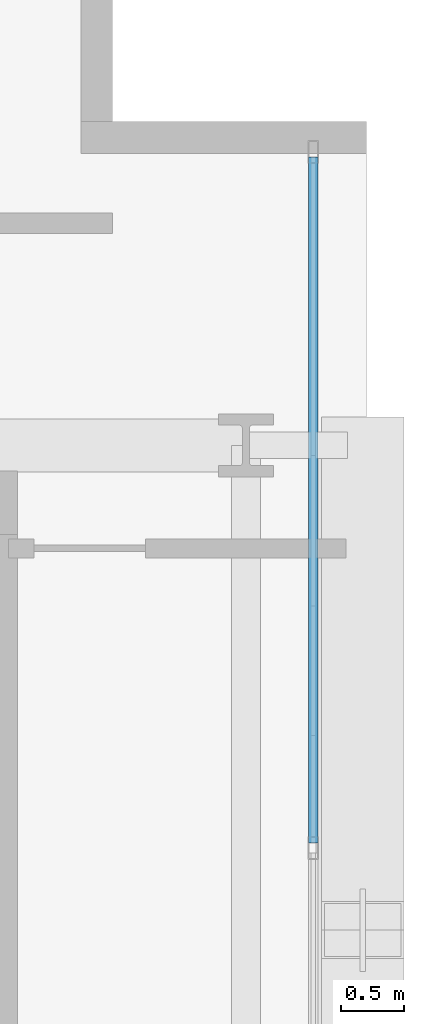
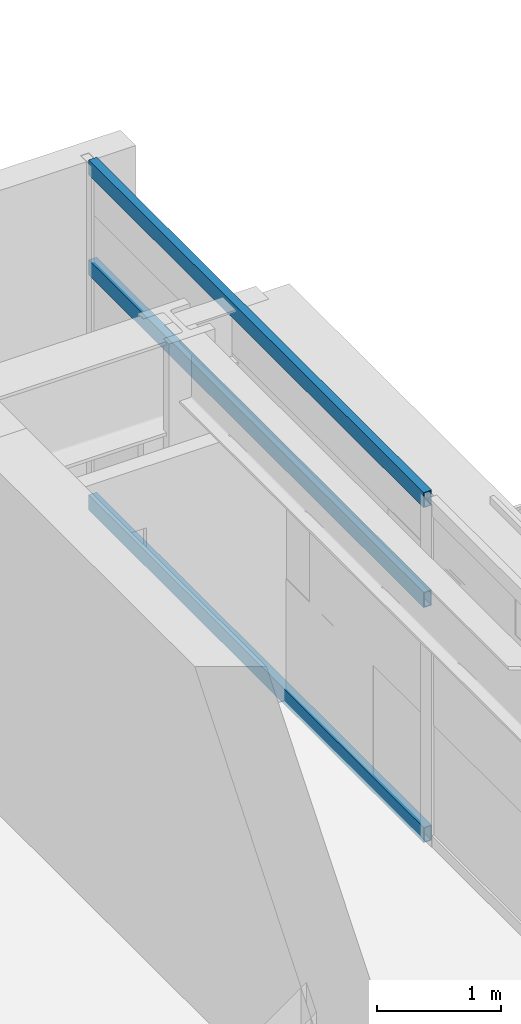
# One storey, part 15 of 31: 3 members, 1 element without a shape of its own.
"""IFC4 building model written with IfcOpenShell, lengths in metres."""

from ifc_helpers import new_model, si_unit, direction, frame, origin, origin_2d, place, context, subcontext, project, spatial, hollow_rectangle, extrude, source, transform, mapped, material, layer, layer_set, material_profile, profile_set, type_object, element, aggregate, save


model = new_model("IFC4")

# Units and contexts
model_context = context("Model", 3, precision=1e-05, world=origin(), true_north=direction((0.0, 1.0)))
body_context = subcontext(model_context, "Body", "Model", "MODEL_VIEW")
ifc_project = project(units=[si_unit("LENGTHUNIT", "METRE"), si_unit("AREAUNIT", "SQUARE_METRE"), si_unit("VOLUMEUNIT", "CUBIC_METRE"), si_unit("PLANEANGLEUNIT", "RADIAN"), si_unit("MASSUNIT", "GRAM", prefix="KILO")], contexts=[model_context])

# Site, building, storey
site_placement = place(None, origin())
site = spatial("IfcSite", under=ifc_project, at=site_placement, CompositionType="ELEMENT")
building_placement = place(site_placement, origin())
building = spatial("IfcBuilding", under=site, at=building_placement, Name="Ocotamira Hotel", CompositionType="ELEMENT")
storey_placement = place(building_placement, frame((0.0, 0.0, 174.0)))
storey = spatial("IfcBuildingStorey", under=building, at=storey_placement, Name="L43", CompositionType="ELEMENT", Elevation=174.0)

# Curtain wall, members
ifc_material_1 = material(Name="Anodised pale-metal aluminium and solar glass", Category="aluminium")
ifc_layer = layer(ifc_material_1, 0.199951171875)
ifc_layer_set = layer_set([ifc_layer], Name="Anodised pale-metal aluminium and solar glass")
curtain_wall_type = type_object("IfcCurtainWallType", Name="CW-SYS4-Z3", PredefinedType="NOTDEFINED", material=ifc_layer_set)
curtain_wall_placement = place(storey_placement, origin())
curtain_wall = element("IfcCurtainWall", 1, at=curtain_wall_placement, inside=storey, type_object=curtain_wall_type, Name="L43 Curtain Wall CW-4 CW-L43-E", PredefinedType="NOTDEFINED")
ifc_material_2 = material(Name="Anodised pale-metal aluminium 6063-T6", Category="aluminium")
ifc_material_profile = material_profile(ifc_material_2, hollow_rectangle(XDim=0.074951171875, YDim=0.14990234375, WallThickness=0.006103515625, at=origin_2d()), Name="HSS150X75X6")
ifc_profile_set = profile_set([ifc_material_profile], Name="Anodised pale-metal aluminium 6063-T6")
member_type = type_object("IfcMemberType", Name="CWT-150X75", PredefinedType="USERDEFINED", material=ifc_profile_set)
shared_shape = source(origin(), body_context, "Body", "SweptSolid", [
    extrude(hollow_rectangle(XDim=0.074951171875, YDim=0.14990234375, WallThickness=0.006103515625, at=origin_2d()), origin(), (0.0, 0.0, 1.0), 5.39990234375),
])
member_1_placement = place(storey_placement, frame((55.580078125, 34.320068359375, 0.03759765625), z_axis=(0.0, 1.0, 0.0), x_axis=(-1.0, 0.0, 0.0)))
member_1 = element("IfcMember", 2, at=member_1_placement, type_object=member_type, Name="CW-4 transom 5.1", ObjectType="TRANSOM", PredefinedType="USERDEFINED", context=body_context, shape_type="MappedRepresentation", body=[
    mapped(shared_shape, transform((0.0, 0.0, 0.0), scale=1.0)),
])
member_2_placement = place(storey_placement, frame((55.580078125, 34.320068359375, 2.35009765625), z_axis=(0.0, 1.0, 0.0), x_axis=(-1.0, 0.0, 0.0)))
member_2 = element("IfcMember", 3, at=member_2_placement, type_object=member_type, Name="CW-4 transom 5.2", ObjectType="TRANSOM", PredefinedType="USERDEFINED", context=body_context, shape_type="MappedRepresentation", body=[
    mapped(shared_shape, transform((0.0, 0.0, 0.0), scale=1.0)),
])
member_3_placement = place(storey_placement, frame((55.580078125, 34.320068359375, 3.33251953125), z_axis=(0.0, 1.0, 0.0), x_axis=(-1.0, 0.0, 0.0)))
member_3 = element("IfcMember", 4, at=member_3_placement, type_object=member_type, Name="CW-4 transom 5.3", ObjectType="TRANSOM", PredefinedType="USERDEFINED", context=body_context, shape_type="MappedRepresentation", body=[
    mapped(shared_shape, transform((0.0, 0.0, 0.0), scale=1.0)),
])
aggregate(curtain_wall, [member_1, member_2, member_3])

save(model, "model.ifc")
